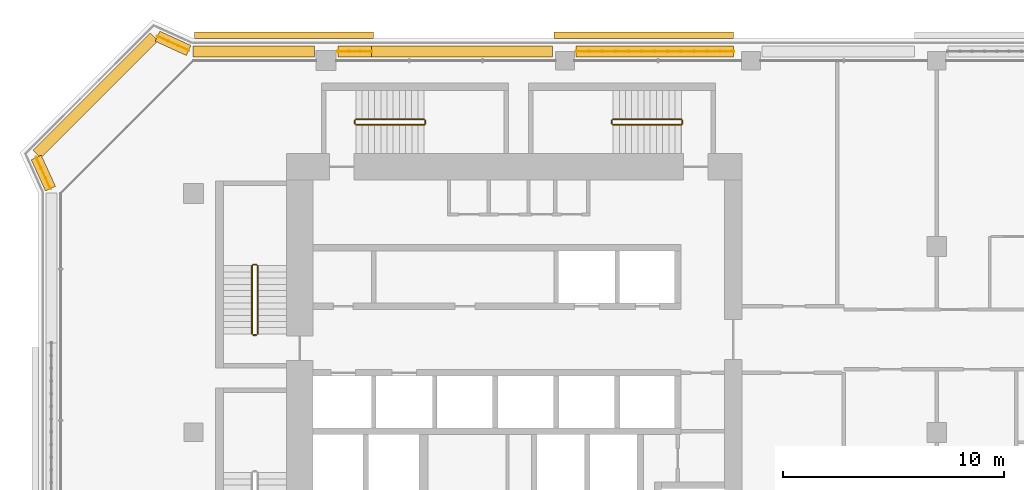
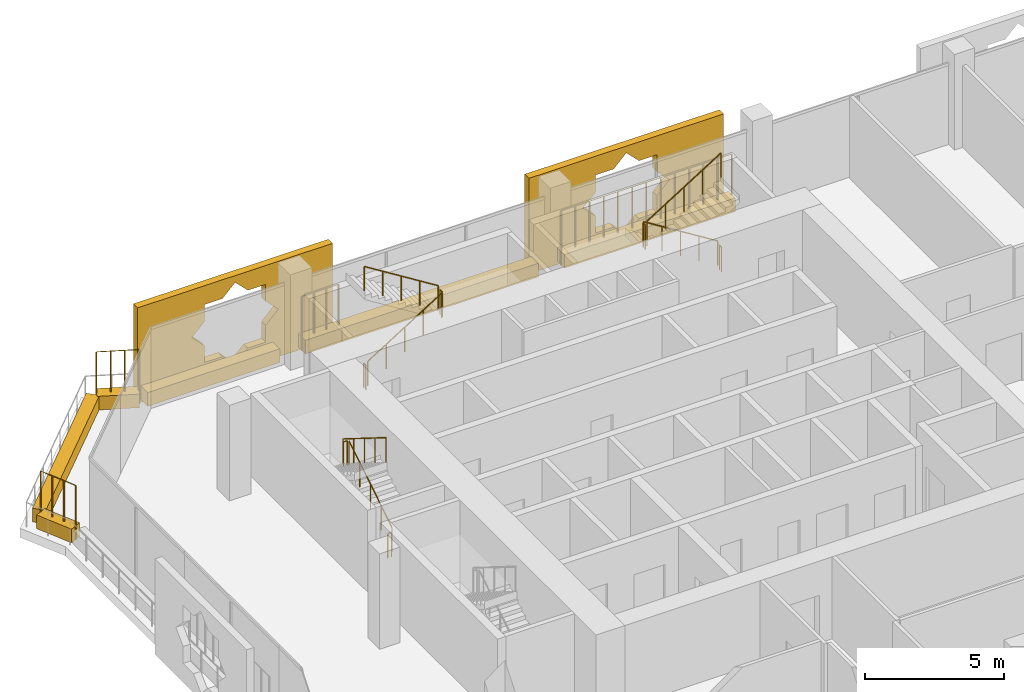
# One storey, part 19 of 21: 16 railings, 9 coverings.
"""IFC4 building model written with IfcOpenShell, lengths in metres."""

from ifc_helpers import new_model, si_unit, direction, frame, origin, origin_2d, place, context, subcontext, project, spatial, polyline, rectangle, circle, outline, extrude, material, material_profile, profile_set, type_object, element, save


model = new_model("IFC4")

# Units and contexts
model_context = context("Model", 3, precision=1e-05, world=origin(), true_north=direction((0.0, 1.0)))
body_context = subcontext(model_context, "Body", "Model", "MODEL_VIEW")
ifc_project = project(units=[si_unit("LENGTHUNIT", "METRE"), si_unit("AREAUNIT", "SQUARE_METRE"), si_unit("VOLUMEUNIT", "CUBIC_METRE"), si_unit("PLANEANGLEUNIT", "RADIAN"), si_unit("MASSUNIT", "GRAM", prefix="KILO")], contexts=[model_context])

# Site, building, storey
site_placement = place(None, origin())
site = spatial("IfcSite", under=ifc_project, at=site_placement, CompositionType="ELEMENT")
building_placement = place(site_placement, origin())
building = spatial("IfcBuilding", under=site, at=building_placement, Name="Kawkab Arch Medical Tower", CompositionType="ELEMENT")
storey_placement = place(building_placement, frame((0.0, 0.0, 243.199951171875)))
storey = spatial("IfcBuildingStorey", under=building, at=storey_placement, Name="L56", CompositionType="ELEMENT", Elevation=243.199951171875)

# Coverings
ifc_material_1 = material(Name="Bronze anodised aluminium mashrabiya panel, eight-point star pattern", Category="aluminium")
ifc_material_profile_1 = material_profile(ifc_material_1, outline(polyline([(-4.050048828125, -2.10009765625), (4.050048828125, -2.10009765625), (4.050048828125, 2.10009765625), (-4.050048828125, 2.10009765625), (-4.050048828125, -2.10009765625)]), holes=[polyline([(1.800048828125, 0.0), (1.272705078125, 0.527099609375), (1.272705078125, 1.272705078125), (0.527099609375, 1.272705078125), (0.0, 1.800048828125), (-0.527099609375, 1.272705078125), (-1.272705078125, 1.272705078125), (-1.272705078125, 0.527099609375), (-1.800048828125, 0.0), (-1.272705078125, -0.527099609375), (-1.272705078125, -1.272705078125), (-0.527099609375, -1.272705078125), (0.0, -1.800048828125), (0.527099609375, -1.272705078125), (1.272705078125, -1.272705078125), (1.272705078125, -0.527099609375), (1.800048828125, 0.0)])]), Name="Mashrabiya panel 8100x4200")
ifc_profile_set_1 = profile_set([ifc_material_profile_1], Name="Bronze anodised aluminium mashrabiya panel, eight-point star pattern")
covering_type_1 = type_object("IfcCoveringType", Name="Mashrabiya panel 8100 x 4200", PredefinedType="USERDEFINED", material=ifc_profile_set_1)
for number, where, z_axis, x_axis, name in (
    (1, (4.089599609375, 1.0, 1.699951171875), (0.0, 1.0, 0.0), (-1.0, 0.0, 0.0), "Mashrabiya panel L56.LOG-01-01.5"),
    (2, (20.3564453125, 1.0, 1.699951171875), (0.0, 1.0, 0.0), (-1.0, 0.0, 0.0), "Mashrabiya panel L56.LOG-01-01.6"),
):
    element("IfcCovering", number, at=place(storey_placement, frame(where, z_axis=z_axis, x_axis=x_axis)), inside=storey, type_object=covering_type_1, Name=name, ObjectType="SCREEN", PredefinedType="USERDEFINED", context=body_context, shape_type="SweptSolid", body=[
        extrude(outline(polyline([(-4.050048828125, -2.10009765625), (4.050048828125, -2.10009765625), (4.050048828125, 2.10009765625), (-4.050048828125, 2.10009765625), (-4.050048828125, -2.10009765625)]), holes=[polyline([(1.800048828125, 0.0), (1.272705078125, 0.527099609375), (1.272705078125, 1.272705078125), (0.527099609375, 1.272705078125), (0.0, 1.800048828125), (-0.527099609375, 1.272705078125), (-1.272705078125, 1.272705078125), (-1.272705078125, 0.527099609375), (-1.800048828125, 0.0), (-1.272705078125, -0.527099609375), (-1.272705078125, -1.272705078125), (-0.527099609375, -1.272705078125), (0.0, -1.800048828125), (0.527099609375, -1.272705078125), (1.272705078125, -1.272705078125), (1.272705078125, -0.527099609375), (1.800048828125, 0.0)])]), origin(), (0.0, 0.0, 1.0), 0.300048828125),
    ])
ifc_material_2 = material(Name="Planting soil in a precast trough", Category="concrete")
ifc_material_profile_2 = material_profile(ifc_material_2, rectangle(XDim=0.5, YDim=0.60009765625, at=origin_2d()), Name="Trough 500x600")
ifc_profile_set_2 = profile_set([ifc_material_profile_2], Name="Planting soil in a precast trough")
covering_type_2 = type_object("IfcCoveringType", Name="Planter trough 500 x 600", PredefinedType="USERDEFINED", material=ifc_profile_set_2)
covering_1_placement = place(storey_placement, frame((-6.4609375, -5.782958984375, 0.300048828125), z_axis=(-0.415363486165, 0.909655525109, 0.0), x_axis=(-0.909655525109, -0.415363486165, 0.0)))
element("IfcCovering", 3, at=covering_1_placement, inside=storey, type_object=covering_type_2, Name="Planter L56.LOG-01-01.13", ObjectType="PLANTER", PredefinedType="USERDEFINED", context=body_context, shape_type="SweptSolid", body=[
    extrude(rectangle(XDim=0.5, YDim=0.60009765625, at=origin_2d()), origin(), (0.0, 0.0, 1.0), 1.54345703125),
])
covering_2_placement = place(storey_placement, frame((-7.072998046875, -4.217041015625, 0.300048828125), z_axis=(0.707106781187, 0.707106781187, 0.0), x_axis=(-0.707106781187, 0.707106781187, 0.0)))
element("IfcCovering", 4, at=covering_2_placement, inside=storey, type_object=covering_type_2, Name="Planter L56.LOG-01-01.14", ObjectType="PLANTER", PredefinedType="USERDEFINED", context=body_context, shape_type="SweptSolid", body=[
    extrude(rectangle(XDim=0.5, YDim=0.60009765625, at=origin_2d()), origin(), (0.0, 0.0, 1.0), 7.481201171875),
])
covering_3_placement = place(storey_placement, frame((-1.62109375, 1.10205078125, 0.300048828125), z_axis=(0.909655525109, -0.415363486165, 0.0), x_axis=(0.415363486165, 0.909655525109, 0.0)))
element("IfcCovering", 5, at=covering_3_placement, inside=storey, type_object=covering_type_2, Name="Planter L56.LOG-01-01.15", ObjectType="PLANTER", PredefinedType="USERDEFINED", context=body_context, shape_type="SweptSolid", body=[
    extrude(rectangle(XDim=0.5, YDim=0.60009765625, at=origin_2d()), origin(), (0.0, 0.0, 1.0), 1.54345703125),
])
covering_4_placement = place(storey_placement, frame((-0.02587890625, 0.419921875, 0.300048828125), z_axis=(1.0, 0.0, 0.0), x_axis=(0.0, 1.0, 0.0)))
element("IfcCovering", 6, at=covering_4_placement, inside=storey, type_object=covering_type_2, Name="Planter L56.LOG-01-01.16", ObjectType="PLANTER", PredefinedType="USERDEFINED", context=body_context, shape_type="SweptSolid", body=[
    extrude(rectangle(XDim=0.5, YDim=0.60009765625, at=origin_2d()), origin(), (0.0, 0.0, 1.0), 5.495849609375),
])
covering_5_placement = place(storey_placement, frame((6.530029296875, 0.419921875, 0.300048828125), z_axis=(1.0, 0.0, 0.0), x_axis=(0.0, 1.0, 0.0)))
element("IfcCovering", 7, at=covering_5_placement, inside=storey, type_object=covering_type_2, Name="Planter L56.LOG-01-01.17", ObjectType="PLANTER", PredefinedType="USERDEFINED", context=body_context, shape_type="SweptSolid", body=[
    extrude(rectangle(XDim=0.5, YDim=0.60009765625, at=origin_2d()), origin(), (0.0, 0.0, 1.0), 1.52294921875),
])
covering_6_placement = place(storey_placement, frame((8.052978515625, 0.419921875, 0.300048828125), z_axis=(1.0, 0.0, 0.0), x_axis=(0.0, 1.0, 0.0)))
element("IfcCovering", 8, at=covering_6_placement, inside=storey, type_object=covering_type_2, Name="Planter L56.LOG-01-01.18", ObjectType="PLANTER", PredefinedType="USERDEFINED", context=body_context, shape_type="SweptSolid", body=[
    extrude(rectangle(XDim=0.5, YDim=0.60009765625, at=origin_2d()), origin(), (0.0, 0.0, 1.0), 8.178955078125),
])
covering_7_placement = place(storey_placement, frame((17.304931640625, 0.419921875, 0.300048828125), z_axis=(1.0, 0.0, 0.0), x_axis=(0.0, 1.0, 0.0)))
element("IfcCovering", 9, at=covering_7_placement, inside=storey, type_object=covering_type_2, Name="Planter L56.LOG-01-01.19", ObjectType="PLANTER", PredefinedType="USERDEFINED", context=body_context, shape_type="SweptSolid", body=[
    extrude(rectangle(XDim=0.5, YDim=0.60009765625, at=origin_2d()), origin(), (0.0, 0.0, 1.0), 7.10595703125),
])

# Railings
ifc_material_3 = material(Name="Bronze anodised aluminium trellis for climbing plants", Category="aluminium")
railing_type_1 = type_object("IfcRailingType", Name="Planting trellis 2400", PredefinedType="USERDEFINED", material=ifc_material_3)
railing_1_placement = place(storey_placement, frame((-6.4609375, -5.782958984375, 0.0)))
element("IfcRailing", 10, at=railing_1_placement, inside=storey, type_object=railing_type_1, Name="Planting trellis L56.LOG-01-01.13", ObjectType="TRELLIS", PredefinedType="USERDEFINED", context=body_context, shape_type="SweptSolid", body=[
    extrude(circle(Radius=0.01513671875, at=origin_2d()), frame((0.0, 0.0, 2.384765625), z_axis=(-0.415363486165, 0.909655525109, 0.0), x_axis=(-0.909655525109, -0.415363486165, 0.0)), (0.0, 0.0, 1.0), 1.54345703125),
    extrude(circle(Radius=0.030029296875, at=origin_2d()), origin(), (0.0, 0.0, 1.0), 2.369873046875),
    extrude(circle(Radius=0.030029296875, at=origin_2d()), frame((-0.213623046875, 0.468017578125, 0.0)), (0.0, 0.0, 1.0), 2.369873046875),
    extrude(circle(Radius=0.030029296875, at=origin_2d()), frame((-0.427490234375, 0.93603515625, 0.0)), (0.0, 0.0, 1.0), 2.369873046875),
    extrude(circle(Radius=0.030029296875, at=origin_2d()), frame((-0.64111328125, 1.404052734375, 0.0)), (0.0, 0.0, 1.0), 2.369873046875),
])
railing_2_placement = place(storey_placement, frame((-1.62109375, 1.10205078125, 0.0)))
element("IfcRailing", 11, at=railing_2_placement, inside=storey, type_object=railing_type_1, Name="Planting trellis L56.LOG-01-01.15", ObjectType="TRELLIS", PredefinedType="USERDEFINED", context=body_context, shape_type="SweptSolid", body=[
    extrude(circle(Radius=0.01513671875, at=origin_2d()), frame((0.0, 0.0, 2.384765625), z_axis=(0.909655525109, -0.415363486165, 0.0), x_axis=(0.415363486165, 0.909655525109, 0.0)), (0.0, 0.0, 1.0), 1.54345703125),
    extrude(circle(Radius=0.030029296875, at=origin_2d()), origin(), (0.0, 0.0, 1.0), 2.369873046875),
    extrude(circle(Radius=0.030029296875, at=origin_2d()), frame((0.468017578125, -0.213623046875, 0.0)), (0.0, 0.0, 1.0), 2.369873046875),
    extrude(circle(Radius=0.030029296875, at=origin_2d()), frame((0.93603515625, -0.427490234375, 0.0)), (0.0, 0.0, 1.0), 2.369873046875),
    extrude(circle(Radius=0.030029296875, at=origin_2d()), frame((1.404052734375, -0.64111328125, 0.0)), (0.0, 0.0, 1.0), 2.369873046875),
])
railing_3_placement = place(storey_placement, frame((6.530029296875, 0.419921875, 0.0)))
element("IfcRailing", 12, at=railing_3_placement, inside=storey, type_object=railing_type_1, Name="Planting trellis L56.LOG-01-01.17", ObjectType="TRELLIS", PredefinedType="USERDEFINED", context=body_context, shape_type="SweptSolid", body=[
    extrude(circle(Radius=0.01513671875, at=origin_2d()), frame((0.0, 0.0, 2.384765625), z_axis=(1.0, 0.0, 0.0), x_axis=(0.0, 1.0, 0.0)), (0.0, 0.0, 1.0), 1.52294921875),
    extrude(circle(Radius=0.030029296875, at=origin_2d()), origin(), (0.0, 0.0, 1.0), 2.369873046875),
    extrude(circle(Radius=0.030029296875, at=origin_2d()), frame((0.507568359375, 0.0, 0.0)), (0.0, 0.0, 1.0), 2.369873046875),
    extrude(circle(Radius=0.030029296875, at=origin_2d()), frame((1.015380859375, 0.0, 0.0)), (0.0, 0.0, 1.0), 2.369873046875),
    extrude(circle(Radius=0.030029296875, at=origin_2d()), frame((1.52294921875, 0.0, 0.0)), (0.0, 0.0, 1.0), 2.369873046875),
])
railing_4_placement = place(storey_placement, frame((17.304931640625, 0.419921875, 0.0)))
element("IfcRailing", 13, at=railing_4_placement, inside=storey, type_object=railing_type_1, Name="Planting trellis L56.LOG-01-01.19", ObjectType="TRELLIS", PredefinedType="USERDEFINED", context=body_context, shape_type="SweptSolid", body=[
    extrude(circle(Radius=0.01513671875, at=origin_2d()), frame((0.0, 0.0, 2.384765625), z_axis=(1.0, 0.0, 0.0), x_axis=(0.0, 1.0, 0.0)), (0.0, 0.0, 1.0), 7.10595703125),
    extrude(circle(Radius=0.030029296875, at=origin_2d()), origin(), (0.0, 0.0, 1.0), 2.369873046875),
    extrude(circle(Radius=0.030029296875, at=origin_2d()), frame((0.59228515625, 0.0, 0.0)), (0.0, 0.0, 1.0), 2.369873046875),
    extrude(circle(Radius=0.030029296875, at=origin_2d()), frame((1.184326171875, 0.0, 0.0)), (0.0, 0.0, 1.0), 2.369873046875),
    extrude(circle(Radius=0.030029296875, at=origin_2d()), frame((1.7763671875, 0.0, 0.0)), (0.0, 0.0, 1.0), 2.369873046875),
    extrude(circle(Radius=0.030029296875, at=origin_2d()), frame((2.36865234375, 0.0, 0.0)), (0.0, 0.0, 1.0), 2.369873046875),
    extrude(circle(Radius=0.030029296875, at=origin_2d()), frame((2.9609375, 0.0, 0.0)), (0.0, 0.0, 1.0), 2.369873046875),
    extrude(circle(Radius=0.030029296875, at=origin_2d()), frame((3.552978515625, 0.0, 0.0)), (0.0, 0.0, 1.0), 2.369873046875),
    extrude(circle(Radius=0.030029296875, at=origin_2d()), frame((4.14501953125, 0.0, 0.0)), (0.0, 0.0, 1.0), 2.369873046875),
    extrude(circle(Radius=0.030029296875, at=origin_2d()), frame((4.7373046875, 0.0, 0.0)), (0.0, 0.0, 1.0), 2.369873046875),
    extrude(circle(Radius=0.030029296875, at=origin_2d()), frame((5.32958984375, 0.0, 0.0)), (0.0, 0.0, 1.0), 2.369873046875),
    extrude(circle(Radius=0.030029296875, at=origin_2d()), frame((5.921630859375, 0.0, 0.0)), (0.0, 0.0, 1.0), 2.369873046875),
    extrude(circle(Radius=0.030029296875, at=origin_2d()), frame((6.513671875, 0.0, 0.0)), (0.0, 0.0, 1.0), 2.369873046875),
    extrude(circle(Radius=0.030029296875, at=origin_2d()), frame((7.10595703125, 0.0, 0.0)), (0.0, 0.0, 1.0), 2.369873046875),
])
ifc_material_4 = material(Name="Stainless steel", Category="steel")
railing_type_2 = type_object("IfcRailingType", Name="Stair guard 1100", PredefinedType="GUARDRAIL", material=ifc_material_4)
railing_5_placement = place(storey_placement, frame((2.89990234375, -12.35009765625, 0.175048828125)))
element("IfcRailing", 14, at=railing_5_placement, inside=storey, type_object=railing_type_2, Name="L56 ST1 stair guard 1", PredefinedType="GUARDRAIL", context=body_context, shape_type="SweptSolid", body=[
    extrude(circle(Radius=0.02392578125, at=origin_2d()), frame((0.0, 0.0, 1.076171875), z_axis=(0.0, 0.847998304005, 0.529998940003), x_axis=(-1.0, 0.0, 0.0)), (0.0, 0.0, 1.0), 3.632080078125),
    extrude(circle(Radius=0.02099609375, at=origin_2d()), origin(), (0.0, 0.0, 1.0), 1.052001953125),
    extrude(circle(Radius=0.02099609375, at=origin_2d()), frame((0.0, 0.77001953125, 0.481201171875)), (0.0, 0.0, 1.0), 1.052001953125),
    extrude(circle(Radius=0.02099609375, at=origin_2d()), frame((0.0, 1.5400390625, 0.96240234375)), (0.0, 0.0, 1.0), 1.052001953125),
    extrude(circle(Radius=0.02099609375, at=origin_2d()), frame((0.0, 2.31005859375, 1.44384765625)), (0.0, 0.0, 1.0), 1.052001953125),
    extrude(circle(Radius=0.02099609375, at=origin_2d()), frame((0.0, 3.080078125, 1.925048828125)), (0.0, 0.0, 1.0), 1.052001953125),
])
railing_6_placement = place(storey_placement, frame((2.85009765625, -9.219970703125, 2.10009765625)))
element("IfcRailing", 15, at=railing_6_placement, inside=storey, type_object=railing_type_2, Name="L56 ST1 stair guard 2", PredefinedType="GUARDRAIL", context=body_context, shape_type="SweptSolid", body=[
    extrude(circle(Radius=0.02392578125, at=origin_2d()), frame((0.0, 0.0, 1.076171875), z_axis=(-1.0, 0.0, 0.0), x_axis=(0.0, -1.0, 0.0)), (0.0, 0.0, 1.0), 0.150146484375),
    extrude(circle(Radius=0.02099609375, at=origin_2d()), origin(), (0.0, 0.0, 1.0), 1.052001953125),
    extrude(circle(Radius=0.02099609375, at=origin_2d()), frame((-0.150146484375, 0.0, 0.0)), (0.0, 0.0, 1.0), 1.052001953125),
])
railing_7_placement = place(storey_placement, frame((2.64990234375, -9.27001953125, 2.275146484375)))
element("IfcRailing", 16, at=railing_7_placement, inside=storey, type_object=railing_type_2, Name="L56 ST1 stair guard 3", PredefinedType="GUARDRAIL", context=body_context, shape_type="SweptSolid", body=[
    extrude(circle(Radius=0.02392578125, at=origin_2d()), frame((0.0, 0.0, 1.076171875), z_axis=(0.0, -0.848028513186, 0.529950602248), x_axis=(1.0, 0.0, 0.0)), (0.0, 0.0, 1.0), 3.632080078125),
    extrude(circle(Radius=0.02099609375, at=origin_2d()), origin(), (0.0, 0.0, 1.0), 1.052001953125),
    extrude(circle(Radius=0.02099609375, at=origin_2d()), frame((0.0, -0.77001953125, 0.481201171875)), (0.0, 0.0, 1.0), 1.052001953125),
    extrude(circle(Radius=0.02099609375, at=origin_2d()), frame((0.0, -1.5400390625, 0.96240234375)), (0.0, 0.0, 1.0), 1.052001953125),
    extrude(circle(Radius=0.02099609375, at=origin_2d()), frame((0.0, -2.31005859375, 1.443603515625)), (0.0, 0.0, 1.0), 1.052001953125),
    extrude(circle(Radius=0.02099609375, at=origin_2d()), frame((0.0, -3.080078125, 1.9248046875)), (0.0, 0.0, 1.0), 1.052001953125),
])
railing_8_placement = place(storey_placement, frame((2.85009765625, -12.39990234375, 0.0)))
element("IfcRailing", 17, at=railing_8_placement, inside=storey, type_object=railing_type_2, Name="L56 ST1 stair guard 4", PredefinedType="GUARDRAIL", context=body_context, shape_type="SweptSolid", body=[
    extrude(circle(Radius=0.02392578125, at=origin_2d()), frame((0.0, 0.0, 1.076171875), z_axis=(-1.0, 0.0, 0.0), x_axis=(0.0, -1.0, 0.0)), (0.0, 0.0, 1.0), 0.150146484375),
    extrude(circle(Radius=0.02099609375, at=origin_2d()), origin(), (0.0, 0.0, 1.0), 1.052001953125),
    extrude(circle(Radius=0.02099609375, at=origin_2d()), frame((-0.150146484375, 0.0, 0.0)), (0.0, 0.0, 1.0), 1.052001953125),
])
railing_9_placement = place(storey_placement, frame((7.35009765625, -2.89990234375, 0.175048828125)))
element("IfcRailing", 18, at=railing_9_placement, inside=storey, type_object=railing_type_2, Name="L56 ST3 stair guard 1", PredefinedType="GUARDRAIL", context=body_context, shape_type="SweptSolid", body=[
    extrude(circle(Radius=0.02392578125, at=origin_2d()), frame((0.0, 0.0, 1.076171875), z_axis=(0.847979421464, 0.0, 0.530029150871), x_axis=(0.0, 1.0, 0.0)), (0.0, 0.0, 1.0), 3.632080078125),
    extrude(circle(Radius=0.02099609375, at=origin_2d()), origin(), (0.0, 0.0, 1.0), 1.052001953125),
    extrude(circle(Radius=0.02099609375, at=origin_2d()), frame((0.77001953125, 0.0, 0.481201171875)), (0.0, 0.0, 1.0), 1.052001953125),
    extrude(circle(Radius=0.02099609375, at=origin_2d()), frame((1.5400390625, 0.0, 0.96240234375)), (0.0, 0.0, 1.0), 1.052001953125),
    extrude(circle(Radius=0.02099609375, at=origin_2d()), frame((2.309814453125, 0.0, 1.44384765625)), (0.0, 0.0, 1.0), 1.052001953125),
    extrude(circle(Radius=0.02099609375, at=origin_2d()), frame((3.079833984375, 0.0, 1.925048828125)), (0.0, 0.0, 1.0), 1.052001953125),
])
railing_10_placement = place(storey_placement, frame((10.47998046875, -2.85009765625, 2.10009765625)))
element("IfcRailing", 19, at=railing_10_placement, inside=storey, type_object=railing_type_2, Name="L56 ST3 stair guard 2", PredefinedType="GUARDRAIL", context=body_context, shape_type="SweptSolid", body=[
    extrude(circle(Radius=0.02392578125, at=origin_2d()), frame((0.0, 0.0, 1.076171875), z_axis=(0.0, 1.0, 0.0), x_axis=(-1.0, 0.0, 0.0)), (0.0, 0.0, 1.0), 0.150146484375),
    extrude(circle(Radius=0.02099609375, at=origin_2d()), origin(), (0.0, 0.0, 1.0), 1.052001953125),
    extrude(circle(Radius=0.02099609375, at=origin_2d()), frame((0.0, 0.150146484375, 0.0)), (0.0, 0.0, 1.0), 1.052001953125),
])
railing_11_placement = place(storey_placement, frame((10.429931640625, -2.64990234375, 2.275146484375)))
element("IfcRailing", 20, at=railing_11_placement, inside=storey, type_object=railing_type_2, Name="L56 ST3 stair guard 3", PredefinedType="GUARDRAIL", context=body_context, shape_type="SweptSolid", body=[
    extrude(circle(Radius=0.02392578125, at=origin_2d()), frame((0.0, 0.0, 1.076171875), z_axis=(-0.848009633417, 0.0, 0.529980812513), x_axis=(0.0, -1.0, 0.0)), (0.0, 0.0, 1.0), 3.6318359375),
    extrude(circle(Radius=0.02099609375, at=origin_2d()), origin(), (0.0, 0.0, 1.0), 1.052001953125),
    extrude(circle(Radius=0.02099609375, at=origin_2d()), frame((-0.77001953125, 0.0, 0.481201171875)), (0.0, 0.0, 1.0), 1.052001953125),
    extrude(circle(Radius=0.02099609375, at=origin_2d()), frame((-1.5400390625, 0.0, 0.96240234375)), (0.0, 0.0, 1.0), 1.052001953125),
    extrude(circle(Radius=0.02099609375, at=origin_2d()), frame((-2.309814453125, 0.0, 1.443603515625)), (0.0, 0.0, 1.0), 1.052001953125),
    extrude(circle(Radius=0.02099609375, at=origin_2d()), frame((-3.079833984375, 0.0, 1.9248046875)), (0.0, 0.0, 1.0), 1.052001953125),
])
railing_12_placement = place(storey_placement, frame((7.300048828125, -2.85009765625, 0.0)))
element("IfcRailing", 21, at=railing_12_placement, inside=storey, type_object=railing_type_2, Name="L56 ST3 stair guard 4", PredefinedType="GUARDRAIL", context=body_context, shape_type="SweptSolid", body=[
    extrude(circle(Radius=0.02392578125, at=origin_2d()), frame((0.0, 0.0, 1.076171875), z_axis=(0.0, 1.0, 0.0), x_axis=(-1.0, 0.0, 0.0)), (0.0, 0.0, 1.0), 0.150146484375),
    extrude(circle(Radius=0.02099609375, at=origin_2d()), origin(), (0.0, 0.0, 1.0), 1.052001953125),
    extrude(circle(Radius=0.02099609375, at=origin_2d()), frame((0.0, 0.150146484375, 0.0)), (0.0, 0.0, 1.0), 1.052001953125),
])
railing_13_placement = place(storey_placement, frame((22.050048828125, -2.64990234375, 0.175048828125)))
element("IfcRailing", 22, at=railing_13_placement, inside=storey, type_object=railing_type_2, Name="L56 ST4 stair guard 1", PredefinedType="GUARDRAIL", context=body_context, shape_type="SweptSolid", body=[
    extrude(circle(Radius=0.02392578125, at=origin_2d()), frame((0.0, 0.0, 1.076171875), z_axis=(-0.847998304005, 0.0, 0.529998940003), x_axis=(0.0, -1.0, 0.0)), (0.0, 0.0, 1.0), 3.632080078125),
    extrude(circle(Radius=0.02099609375, at=origin_2d()), origin(), (0.0, 0.0, 1.0), 1.052001953125),
    extrude(circle(Radius=0.02099609375, at=origin_2d()), frame((-0.77001953125, 0.0, 0.481201171875)), (0.0, 0.0, 1.0), 1.052001953125),
    extrude(circle(Radius=0.02099609375, at=origin_2d()), frame((-1.5400390625, 0.0, 0.96240234375)), (0.0, 0.0, 1.0), 1.052001953125),
    extrude(circle(Radius=0.02099609375, at=origin_2d()), frame((-2.31005859375, 0.0, 1.44384765625)), (0.0, 0.0, 1.0), 1.052001953125),
    extrude(circle(Radius=0.02099609375, at=origin_2d()), frame((-3.080078125, 0.0, 1.925048828125)), (0.0, 0.0, 1.0), 1.052001953125),
])
railing_14_placement = place(storey_placement, frame((18.919921875, -2.699951171875, 2.10009765625)))
element("IfcRailing", 23, at=railing_14_placement, inside=storey, type_object=railing_type_2, Name="L56 ST4 stair guard 2", PredefinedType="GUARDRAIL", context=body_context, shape_type="SweptSolid", body=[
    extrude(circle(Radius=0.02392578125, at=origin_2d()), frame((0.0, 0.0, 1.076171875), z_axis=(0.0, -1.0, 0.0), x_axis=(1.0, 0.0, 0.0)), (0.0, 0.0, 1.0), 0.150146484375),
    extrude(circle(Radius=0.02099609375, at=origin_2d()), origin(), (0.0, 0.0, 1.0), 1.052001953125),
    extrude(circle(Radius=0.02099609375, at=origin_2d()), frame((0.0, -0.150146484375, 0.0)), (0.0, 0.0, 1.0), 1.052001953125),
])
railing_15_placement = place(storey_placement, frame((18.969970703125, -2.89990234375, 2.275146484375)))
element("IfcRailing", 24, at=railing_15_placement, inside=storey, type_object=railing_type_2, Name="L56 ST4 stair guard 3", PredefinedType="GUARDRAIL", context=body_context, shape_type="SweptSolid", body=[
    extrude(circle(Radius=0.02392578125, at=origin_2d()), frame((0.0, 0.0, 1.076171875), z_axis=(0.848028513186, 0.0, 0.529950602248), x_axis=(0.0, 1.0, 0.0)), (0.0, 0.0, 1.0), 3.632080078125),
    extrude(circle(Radius=0.02099609375, at=origin_2d()), origin(), (0.0, 0.0, 1.0), 1.052001953125),
    extrude(circle(Radius=0.02099609375, at=origin_2d()), frame((0.77001953125, 0.0, 0.481201171875)), (0.0, 0.0, 1.0), 1.052001953125),
    extrude(circle(Radius=0.02099609375, at=origin_2d()), frame((1.5400390625, 0.0, 0.96240234375)), (0.0, 0.0, 1.0), 1.052001953125),
    extrude(circle(Radius=0.02099609375, at=origin_2d()), frame((2.31005859375, 0.0, 1.443603515625)), (0.0, 0.0, 1.0), 1.052001953125),
    extrude(circle(Radius=0.02099609375, at=origin_2d()), frame((3.080078125, 0.0, 1.9248046875)), (0.0, 0.0, 1.0), 1.052001953125),
])
railing_16_placement = place(storey_placement, frame((22.10009765625, -2.699951171875, 0.0)))
element("IfcRailing", 25, at=railing_16_placement, inside=storey, type_object=railing_type_2, Name="L56 ST4 stair guard 4", PredefinedType="GUARDRAIL", context=body_context, shape_type="SweptSolid", body=[
    extrude(circle(Radius=0.02392578125, at=origin_2d()), frame((0.0, 0.0, 1.076171875), z_axis=(0.0, -1.0, 0.0), x_axis=(1.0, 0.0, 0.0)), (0.0, 0.0, 1.0), 0.150146484375),
    extrude(circle(Radius=0.02099609375, at=origin_2d()), origin(), (0.0, 0.0, 1.0), 1.052001953125),
    extrude(circle(Radius=0.02099609375, at=origin_2d()), frame((0.0, -0.150146484375, 0.0)), (0.0, 0.0, 1.0), 1.052001953125),
])

save(model, "model.ifc")
